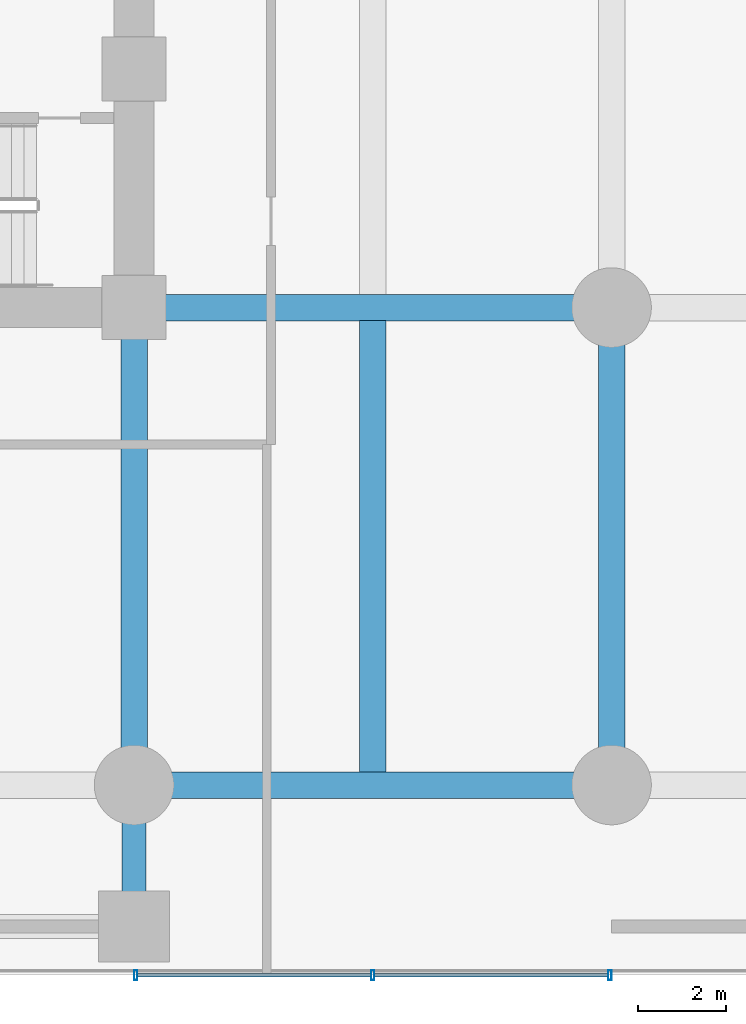
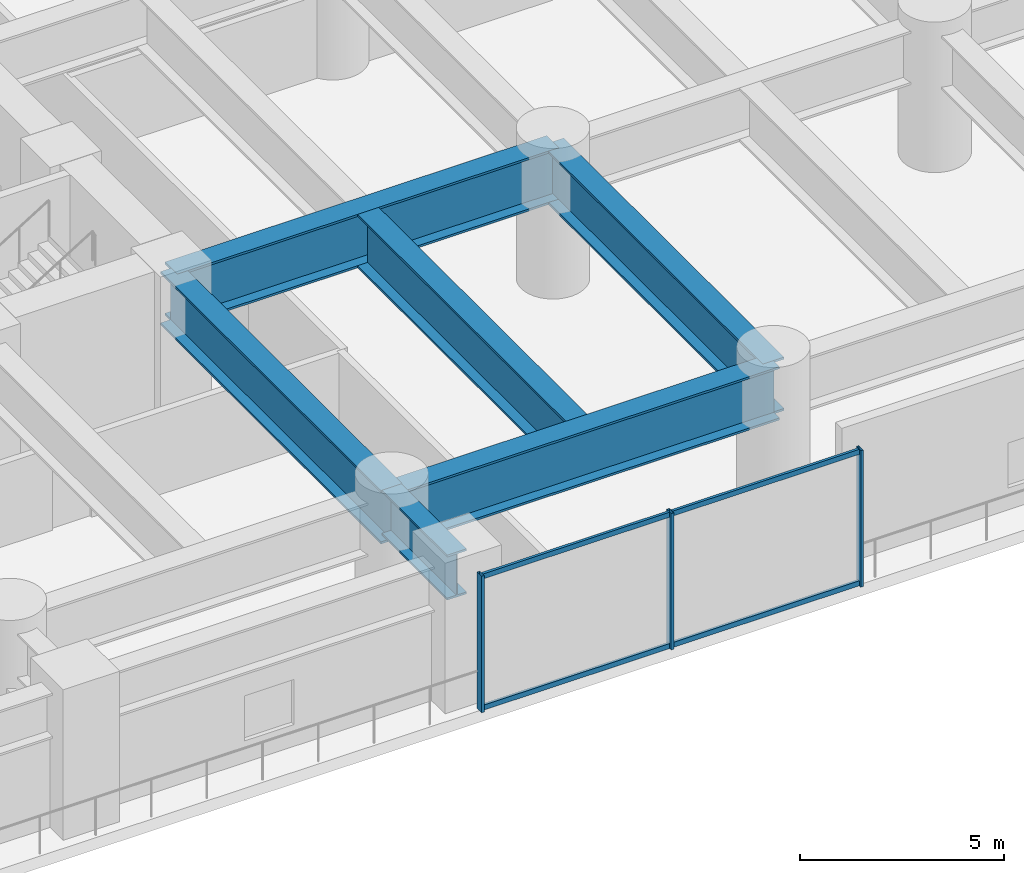
# One storey, part 9 of 37: 7 members, 6 beams, 1 element without a shape of its own.
"""IFC4 building model written with IfcOpenShell, lengths in metres."""

from ifc_helpers import new_model, si_unit, direction, frame, origin, origin_2d, place, context, subcontext, project, spatial, hollow_rectangle, i_section, extrude, material, layer, layer_set, material_profile, profile_set, type_object, element, aggregate, save


model = new_model("IFC4")

# Units and contexts
model_context = context("Model", 3, precision=1e-05, world=origin(), true_north=direction((0.0, 1.0)))
body_context = subcontext(model_context, "Body", "Model", "MODEL_VIEW")
ifc_project = project(units=[si_unit("LENGTHUNIT", "METRE"), si_unit("AREAUNIT", "SQUARE_METRE"), si_unit("VOLUMEUNIT", "CUBIC_METRE"), si_unit("PLANEANGLEUNIT", "RADIAN"), si_unit("MASSUNIT", "GRAM", prefix="KILO")], contexts=[model_context])

# Site, building, storey
site_placement = place(None, origin())
site = spatial("IfcSite", under=ifc_project, at=site_placement, CompositionType="ELEMENT")
building_placement = place(site_placement, origin())
building = spatial("IfcBuilding", under=site, at=building_placement, Name="Surkhivell Harbour Commons", CompositionType="ELEMENT")
storey_placement = place(building_placement, frame((0.0, 0.0, 18.0)))
storey = spatial("IfcBuildingStorey", under=building, at=storey_placement, Name="L04", CompositionType="ELEMENT", Elevation=18.0)

# Beams
ifc_material_1 = material(Name="Steel S460", Category="steel")
ifc_material_profile_1 = material_profile(ifc_material_1, i_section(OverallWidth=0.550048828125, OverallDepth=1.35009765625, WebThickness=0.031982421875, FlangeThickness=0.06005859375, at=origin_2d()), Name="WPG1350x550x248")
ifc_profile_set_1 = profile_set([ifc_material_profile_1], Name="Steel S460")
beam_type_1 = type_object("IfcBeamType", Name="BM-TRF-1350", PredefinedType="BEAM", material=ifc_profile_set_1)
beam_1_placement = place(storey_placement, frame((10.800048828125, -24.800048828125, 3.405029296875), z_axis=(0.0, 1.0, 0.0), x_axis=(-1.0, 0.0, 0.0)))
element("IfcBeam", 1, at=beam_1_placement, inside=storey, type_object=beam_type_1, Name="L04 Transfer Girder (10.8,-24.8)", PredefinedType="BEAM", context=body_context, shape_type="SweptSolid", body=[
    extrude(i_section(OverallWidth=0.550048828125, OverallDepth=1.35009765625, WebThickness=0.031982421875, FlangeThickness=0.06005859375, at=origin_2d()), origin(), (0.0, 0.0, 1.0), 3.199951171875),
])
ifc_material_profile_2 = material_profile(ifc_material_1, i_section(OverallWidth=0.60009765625, OverallDepth=1.60009765625, WebThickness=0.035888671875, FlangeThickness=0.06494140625, at=origin_2d()), Name="WPG1600x600x296")
ifc_profile_set_2 = profile_set([ifc_material_profile_2], Name="Steel S460")
beam_type_2 = type_object("IfcBeamType", Name="BM-TRF-1600", PredefinedType="BEAM", material=ifc_profile_set_2)
for number, where, z_axis, x_axis, name in (
    (2, (10.800048828125, -21.60009765625, 3.280029296875), (0.0, 1.0, 0.0), (-1.0, 0.0, 0.0), "L04 Transfer Girder (10.8,-21.6)"),
    (3, (10.800048828125, -21.60009765625, 3.280029296875), (1.0, 0.0, 0.0), (0.0, 1.0, 0.0), "L04 Transfer Girder (10.8,-21.6)"),
    (4, (10.800048828125, -10.800048828125, 3.280029296875), (1.0, 0.0, 0.0), (0.0, 1.0, 0.0), "L04 Transfer Girder (10.8,-10.8)"),
    (5, (21.60009765625, -21.60009765625, 3.280029296875), (0.0, 1.0, 0.0), (-1.0, 0.0, 0.0), "L04 Transfer Girder (21.6,-21.6)"),
):
    element("IfcBeam", number, at=place(storey_placement, frame(where, z_axis=z_axis, x_axis=x_axis)), inside=storey, type_object=beam_type_2, Name=name, PredefinedType="BEAM", context=body_context, shape_type="SweptSolid", body=[
        extrude(i_section(OverallWidth=0.60009765625, OverallDepth=1.60009765625, WebThickness=0.035888671875, FlangeThickness=0.06494140625, at=origin_2d()), origin(), (0.0, 0.0, 1.0), 10.800048828125),
    ])
beam_2_placement = place(storey_placement, frame((16.199951171875, -21.302001953125, 3.280029296875), z_axis=(0.0, 1.0, 0.0), x_axis=(-1.0, 0.0, 0.0)))
element("IfcBeam", 6, at=beam_2_placement, inside=storey, type_object=beam_type_2, Name="L04 Secondary Transfer Girder (16.2,-21.6)", PredefinedType="BEAM", context=body_context, shape_type="SweptSolid", body=[
    extrude(i_section(OverallWidth=0.60009765625, OverallDepth=1.60009765625, WebThickness=0.035888671875, FlangeThickness=0.06494140625, at=origin_2d()), origin(), (0.0, 0.0, 1.0), 10.2041015625),
])

# Curtain wall, members
ifc_material_2 = material(Name="Anodised pale-metal aluminium and insulated glazing", Category="aluminium")
ifc_layer = layer(ifc_material_2, 0.239990234375)
ifc_layer_set = layer_set([ifc_layer], Name="Anodised pale-metal aluminium and insulated glazing")
curtain_wall_type = type_object("IfcCurtainWallType", Name="CW-SYS-POD", PredefinedType="NOTDEFINED", material=ifc_layer_set)
curtain_wall_placement = place(storey_placement, origin())
curtain_wall = element("IfcCurtainWall", 7, at=curtain_wall_placement, inside=storey, type_object=curtain_wall_type, Name="L04 Curtain Wall CW-L04-S6", PredefinedType="NOTDEFINED")
ifc_material_3 = material(Name="Anodised pale-metal aluminium alloy 6063-T6", Category="aluminium")
ifc_material_profile_3 = material_profile(ifc_material_3, hollow_rectangle(XDim=0.074951171875, YDim=0.219970703125, WallThickness=0.00390625, at=origin_2d()), Name="ALU-MULL-75x220")
ifc_profile_set_3 = profile_set([ifc_material_profile_3], Name="Anodised pale-metal aluminium alloy 6063-T6")
member_type_1 = type_object("IfcMemberType", Name="CWM-220", PredefinedType="MULLION", material=ifc_profile_set_3)
member_1_placement = place(storey_placement, frame((21.5625, -25.89990234375, 0.0), z_axis=(0.0, 0.0, 1.0), x_axis=(-1.0, 0.0, 0.0)))
member_1 = element("IfcMember", 8, at=member_1_placement, type_object=member_type_1, Name="CW-POD mullion 1", PredefinedType="MULLION", context=body_context, shape_type="SweptSolid", body=[
    extrude(hollow_rectangle(XDim=0.074951171875, YDim=0.219970703125, WallThickness=0.00390625, at=origin_2d()), origin(), (0.0, 0.0, 1.0), 4.080078125),
])
member_2_placement = place(storey_placement, frame((16.199951171875, -25.89990234375, 0.0), z_axis=(0.0, 0.0, 1.0), x_axis=(-1.0, 0.0, 0.0)))
member_2 = element("IfcMember", 9, at=member_2_placement, type_object=member_type_1, Name="CW-POD mullion 2", PredefinedType="MULLION", context=body_context, shape_type="SweptSolid", body=[
    extrude(hollow_rectangle(XDim=0.074951171875, YDim=0.219970703125, WallThickness=0.00390625, at=origin_2d()), origin(), (0.0, 0.0, 1.0), 4.080078125),
])
member_3_placement = place(storey_placement, frame((10.83740234375, -25.89990234375, 0.0), z_axis=(0.0, 0.0, 1.0), x_axis=(-1.0, 0.0, 0.0)))
member_3 = element("IfcMember", 10, at=member_3_placement, type_object=member_type_1, Name="CW-POD mullion 3", PredefinedType="MULLION", context=body_context, shape_type="SweptSolid", body=[
    extrude(hollow_rectangle(XDim=0.074951171875, YDim=0.219970703125, WallThickness=0.00390625, at=origin_2d()), origin(), (0.0, 0.0, 1.0), 4.080078125),
])
ifc_material_profile_4 = material_profile(ifc_material_3, hollow_rectangle(XDim=0.074951171875, YDim=0.14990234375, WallThickness=0.00341796875, at=origin_2d()), Name="ALU-TRAN-75x150")
ifc_profile_set_4 = profile_set([ifc_material_profile_4], Name="Anodised pale-metal aluminium alloy 6063-T6")
member_type_2 = type_object("IfcMemberType", Name="CWT-150", PredefinedType="USERDEFINED", material=ifc_profile_set_4)
member_4_placement = place(storey_placement, frame((21.52490234375, -25.89990234375, 0.074951171875), z_axis=(-1.0, 0.0, 0.0), x_axis=(0.0, -1.0, 0.0)))
member_4 = element("IfcMember", 11, at=member_4_placement, type_object=member_type_2, Name="CW-POD transom 1.1", ObjectType="TRANSOM", PredefinedType="USERDEFINED", context=body_context, shape_type="SweptSolid", body=[
    extrude(hollow_rectangle(XDim=0.074951171875, YDim=0.14990234375, WallThickness=0.00341796875, at=origin_2d()), origin(), (0.0, 0.0, 1.0), 5.287353515625),
])
member_5_placement = place(storey_placement, frame((21.52490234375, -25.89990234375, 4.0048828125), z_axis=(-1.0, 0.0, 0.0), x_axis=(0.0, -1.0, 0.0)))
member_5 = element("IfcMember", 12, at=member_5_placement, type_object=member_type_2, Name="CW-POD transom 1.2", ObjectType="TRANSOM", PredefinedType="USERDEFINED", context=body_context, shape_type="SweptSolid", body=[
    extrude(hollow_rectangle(XDim=0.074951171875, YDim=0.14990234375, WallThickness=0.00341796875, at=origin_2d()), origin(), (0.0, 0.0, 1.0), 5.287353515625),
])
member_6_placement = place(storey_placement, frame((16.16259765625, -25.89990234375, 0.074951171875), z_axis=(-1.0, 0.0, 0.0), x_axis=(0.0, -1.0, 0.0)))
member_6 = element("IfcMember", 13, at=member_6_placement, type_object=member_type_2, Name="CW-POD transom 2.1", ObjectType="TRANSOM", PredefinedType="USERDEFINED", context=body_context, shape_type="SweptSolid", body=[
    extrude(hollow_rectangle(XDim=0.074951171875, YDim=0.14990234375, WallThickness=0.00341796875, at=origin_2d()), origin(), (0.0, 0.0, 1.0), 5.28759765625),
])
member_7_placement = place(storey_placement, frame((16.16259765625, -25.89990234375, 4.0048828125), z_axis=(-1.0, 0.0, 0.0), x_axis=(0.0, -1.0, 0.0)))
member_7 = element("IfcMember", 14, at=member_7_placement, type_object=member_type_2, Name="CW-POD transom 2.2", ObjectType="TRANSOM", PredefinedType="USERDEFINED", context=body_context, shape_type="SweptSolid", body=[
    extrude(hollow_rectangle(XDim=0.074951171875, YDim=0.14990234375, WallThickness=0.00341796875, at=origin_2d()), origin(), (0.0, 0.0, 1.0), 5.28759765625),
])
aggregate(curtain_wall, [member_1, member_2, member_3, member_4, member_5, member_6, member_7])

save(model, "model.ifc")
